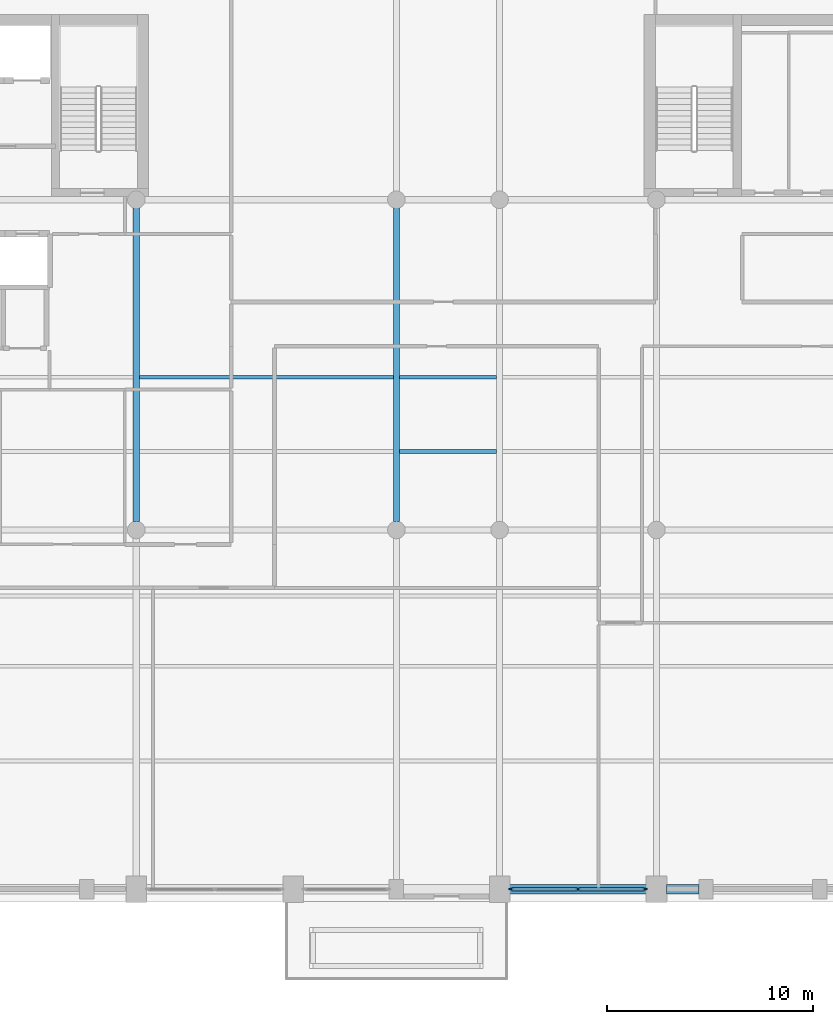
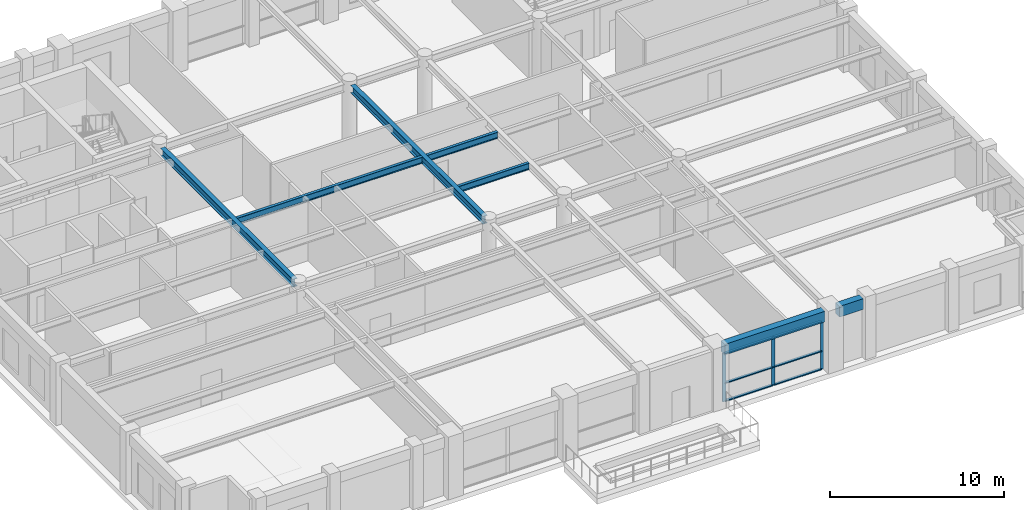
# One storey, part 3 of 13: 9 members, 7 beams, 1 element without a shape of its own.
"""IFC4 building model written with IfcOpenShell, lengths in metres."""

from ifc_helpers import new_model, si_unit, direction, frame, origin, origin_2d, place, context, subcontext, project, spatial, rectangle, i_section, extrude, material, layer, layer_set, material_profile, profile_set, type_object, element, aggregate, save


model = new_model("IFC4")

# Units and contexts
model_context = context("Model", 3, precision=1e-05, world=origin(), true_north=direction((0.0, 1.0)))
body_context = subcontext(model_context, "Body", "Model", "MODEL_VIEW")
ifc_project = project(units=[si_unit("LENGTHUNIT", "METRE"), si_unit("AREAUNIT", "SQUARE_METRE"), si_unit("VOLUMEUNIT", "CUBIC_METRE"), si_unit("PLANEANGLEUNIT", "RADIAN"), si_unit("MASSUNIT", "GRAM", prefix="KILO")], contexts=[model_context])

# Site, building, storey
site_placement = place(None, origin())
site = spatial("IfcSite", under=ifc_project, at=site_placement, CompositionType="ELEMENT")
building_placement = place(site_placement, origin())
building = spatial("IfcBuilding", under=site, at=building_placement, Name="Sulina Concourse Tower", CompositionType="ELEMENT")
storey_placement = place(building_placement, frame((0.0, 0.0, 280.60009765625)))
storey = spatial("IfcBuildingStorey", under=building, at=storey_placement, Name="L68", CompositionType="ELEMENT", Elevation=280.60009765625)

# Beams
ifc_material_1 = material(Name="Steel S355", Category="steel")
ifc_material_profile_1 = material_profile(ifc_material_1, i_section(OverallWidth=0.18994140625, OverallDepth=0.449951171875, WebThickness=0.009521484375, FlangeThickness=0.0146484375, at=origin_2d()), Name="IPE 450")
ifc_profile_set_1 = profile_set([ifc_material_profile_1], Name="Steel S355")
beam_type_1 = type_object("IfcBeamType", Name="Composite Floor Joist IPE450", PredefinedType="JOIST", material=ifc_profile_set_1)
beam_1_placement = place(storey_placement, frame((29.14990234375, 21.800048828125, 3.9248046875), z_axis=(1.0, 0.0, 0.0), x_axis=(0.0, 1.0, 0.0)))
element("IfcBeam", 1, at=beam_1_placement, inside=storey, type_object=beam_type_1, Name="FJ-J22-3-L68", PredefinedType="JOIST", context=body_context, shape_type="SweptSolid", body=[
    extrude(i_section(OverallWidth=0.18994140625, OverallDepth=0.449951171875, WebThickness=0.009521484375, FlangeThickness=0.0146484375, at=origin_2d()), origin(), (0.0, 0.0, 1.0), 4.7001953125),
])
beam_2_placement = place(storey_placement, frame((16.550048828125, 25.39990234375, 3.9248046875), z_axis=(1.0, 0.0, 0.0), x_axis=(0.0, 1.0, 0.0)))
element("IfcBeam", 2, at=beam_2_placement, inside=storey, type_object=beam_type_1, Name="FJ-J25-2-L68", PredefinedType="JOIST", context=body_context, shape_type="SweptSolid", body=[
    extrude(i_section(OverallWidth=0.18994140625, OverallDepth=0.449951171875, WebThickness=0.009521484375, FlangeThickness=0.0146484375, at=origin_2d()), origin(), (0.0, 0.0, 1.0), 12.300048828125),
])
beam_3_placement = place(storey_placement, frame((29.14990234375, 25.39990234375, 3.9248046875), z_axis=(1.0, 0.0, 0.0), x_axis=(0.0, 1.0, 0.0)))
element("IfcBeam", 3, at=beam_3_placement, inside=storey, type_object=beam_type_1, Name="FJ-J25-3-L68", PredefinedType="JOIST", context=body_context, shape_type="SweptSolid", body=[
    extrude(i_section(OverallWidth=0.18994140625, OverallDepth=0.449951171875, WebThickness=0.009521484375, FlangeThickness=0.0146484375, at=origin_2d()), origin(), (0.0, 0.0, 1.0), 4.7001953125),
])
ifc_material_2 = material(Name="Steel S355", Category="steel")
ifc_material_profile_2 = material_profile(ifc_material_2, i_section(OverallWidth=0.300048828125, OverallDepth=0.550048828125, WebThickness=0.014892578125, FlangeThickness=0.029052734375, at=origin_2d()), Name="HE 550 B")
ifc_profile_set_2 = profile_set([ifc_material_profile_2], Name="Steel S355")
beam_type_2 = type_object("IfcBeamType", Name="Floor Primary Girder Zone 4 HE550B", PredefinedType="BEAM", material=ifc_profile_set_2)
for number, where, z_axis, x_axis, name in (
    (4, (16.39990234375, 18.405029296875, 3.875), (0.0, 1.0, 0.0), (-1.0, 0.0, 0.0), "FG-NSB-16-L68"),
    (5, (29.0, 18.405029296875, 3.875), (0.0, 1.0, 0.0), (-1.0, 0.0, 0.0), "FG-NSB-29-L68"),
):
    element("IfcBeam", number, at=place(storey_placement, frame(where, z_axis=z_axis, x_axis=x_axis)), inside=storey, type_object=beam_type_2, Name=name, PredefinedType="BEAM", context=body_context, shape_type="SweptSolid", body=[
        extrude(i_section(OverallWidth=0.300048828125, OverallDepth=0.550048828125, WebThickness=0.014892578125, FlangeThickness=0.029052734375, at=origin_2d()), origin(), (0.0, 0.0, 1.0), 15.18994140625),
    ])

# Curtain wall, members
ifc_material_3 = material(Name="Aluminium 6063-T6", Category="aluminium")
ifc_layer = layer(ifc_material_3, 0.22998046875)
ifc_layer_set = layer_set([ifc_layer], Name="Aluminium 6063-T6")
curtain_wall_type = type_object("IfcCurtainWallType", Name="Sky-Pool Wellness Lounge Curtain Wall System", PredefinedType="NOTDEFINED", material=ifc_layer_set)
curtain_wall_placement = place(storey_placement, origin())
curtain_wall = element("IfcCurtainWall", 6, at=curtain_wall_placement, inside=storey, type_object=curtain_wall_type, Name="L68 glazed curtain wall S7", PredefinedType="NOTDEFINED")
ifc_material_4 = material(Name="Aluminium 6063-T6", Category="aluminium")
ifc_material_profile_3 = material_profile(ifc_material_4, rectangle(XDim=0.068115234375, YDim=0.2099609375, at=origin_2d()), Name="MUL 68x210")
ifc_profile_set_3 = profile_set([ifc_material_profile_3], Name="Aluminium 6063-T6")
member_type_1 = type_object("IfcMemberType", Name="Sky-Pool Wellness Lounge Curtain Wall System Mullion 68x210", PredefinedType="MULLION", material=ifc_profile_set_3)
member_1_placement = place(storey_placement, frame((41.0458984375, 0.60009765625, 0.0), z_axis=(0.0, 0.0, 1.0), x_axis=(0.0, -1.0, 0.0)))
member_1 = element("IfcMember", 7, at=member_1_placement, type_object=member_type_1, Name="CW-05 mullion 1", PredefinedType="MULLION", context=body_context, shape_type="SweptSolid", body=[
    extrude(rectangle(XDim=0.068115234375, YDim=0.2099609375, at=origin_2d()), origin(), (0.0, 0.0, 1.0), 3.39990234375),
])
member_2_placement = place(storey_placement, frame((37.800048828125, 0.60009765625, 0.0), z_axis=(0.0, 0.0, 1.0), x_axis=(0.0, -1.0, 0.0)))
member_2 = element("IfcMember", 8, at=member_2_placement, type_object=member_type_1, Name="CW-05 mullion 2", PredefinedType="MULLION", context=body_context, shape_type="SweptSolid", body=[
    extrude(rectangle(XDim=0.068115234375, YDim=0.2099609375, at=origin_2d()), origin(), (0.0, 0.0, 1.0), 3.39990234375),
])
member_3_placement = place(storey_placement, frame((34.553955078125, 0.60009765625, 0.0), z_axis=(0.0, 0.0, 1.0), x_axis=(0.0, -1.0, 0.0)))
member_3 = element("IfcMember", 9, at=member_3_placement, type_object=member_type_1, Name="CW-05 mullion 3", PredefinedType="MULLION", context=body_context, shape_type="SweptSolid", body=[
    extrude(rectangle(XDim=0.068115234375, YDim=0.2099609375, at=origin_2d()), origin(), (0.0, 0.0, 1.0), 3.39990234375),
])
ifc_material_5 = material(Name="Aluminium 6063-T6", Category="aluminium")
ifc_material_profile_4 = material_profile(ifc_material_5, rectangle(XDim=0.169921875, YDim=0.068115234375, at=origin_2d()), Name="TRN 68x170")
ifc_profile_set_4 = profile_set([ifc_material_profile_4], Name="Aluminium 6063-T6")
member_type_2 = type_object("IfcMemberType", Name="Sky-Pool Wellness Lounge Curtain Wall System Transom 68x170", PredefinedType="USERDEFINED", material=ifc_profile_set_4)
member_4_placement = place(storey_placement, frame((41.011962890625, 0.60009765625, 0.033935546875), z_axis=(-1.0, 0.0, 0.0), x_axis=(0.0, -1.0, 0.0)))
member_4 = element("IfcMember", 10, at=member_4_placement, type_object=member_type_2, Name="CW-05 transom 1.1", ObjectType="TRANSOM", PredefinedType="USERDEFINED", context=body_context, shape_type="SweptSolid", body=[
    extrude(rectangle(XDim=0.169921875, YDim=0.068115234375, at=origin_2d()), origin(), (0.0, 0.0, 1.0), 3.177978515625),
])
member_5_placement = place(storey_placement, frame((41.011962890625, 0.60009765625, 1.2919921875), z_axis=(-1.0, 0.0, 0.0), x_axis=(0.0, -1.0, 0.0)))
member_5 = element("IfcMember", 11, at=member_5_placement, type_object=member_type_2, Name="CW-05 transom 1.2", ObjectType="TRANSOM", PredefinedType="USERDEFINED", context=body_context, shape_type="SweptSolid", body=[
    extrude(rectangle(XDim=0.169921875, YDim=0.068115234375, at=origin_2d()), origin(), (0.0, 0.0, 1.0), 3.177978515625),
])
member_6_placement = place(storey_placement, frame((41.011962890625, 0.60009765625, 3.365966796875), z_axis=(-1.0, 0.0, 0.0), x_axis=(0.0, -1.0, 0.0)))
member_6 = element("IfcMember", 12, at=member_6_placement, type_object=member_type_2, Name="CW-05 transom 1.3", ObjectType="TRANSOM", PredefinedType="USERDEFINED", context=body_context, shape_type="SweptSolid", body=[
    extrude(rectangle(XDim=0.169921875, YDim=0.068115234375, at=origin_2d()), origin(), (0.0, 0.0, 1.0), 3.177978515625),
])
member_7_placement = place(storey_placement, frame((37.76611328125, 0.60009765625, 0.033935546875), z_axis=(-1.0, 0.0, 0.0), x_axis=(0.0, -1.0, 0.0)))
member_7 = element("IfcMember", 13, at=member_7_placement, type_object=member_type_2, Name="CW-05 transom 2.1", ObjectType="TRANSOM", PredefinedType="USERDEFINED", context=body_context, shape_type="SweptSolid", body=[
    extrude(rectangle(XDim=0.169921875, YDim=0.068115234375, at=origin_2d()), origin(), (0.0, 0.0, 1.0), 3.17822265625),
])
member_8_placement = place(storey_placement, frame((37.76611328125, 0.60009765625, 1.2919921875), z_axis=(-1.0, 0.0, 0.0), x_axis=(0.0, -1.0, 0.0)))
member_8 = element("IfcMember", 14, at=member_8_placement, type_object=member_type_2, Name="CW-05 transom 2.2", ObjectType="TRANSOM", PredefinedType="USERDEFINED", context=body_context, shape_type="SweptSolid", body=[
    extrude(rectangle(XDim=0.169921875, YDim=0.068115234375, at=origin_2d()), origin(), (0.0, 0.0, 1.0), 3.17822265625),
])
member_9_placement = place(storey_placement, frame((37.76611328125, 0.60009765625, 3.365966796875), z_axis=(-1.0, 0.0, 0.0), x_axis=(0.0, -1.0, 0.0)))
member_9 = element("IfcMember", 15, at=member_9_placement, type_object=member_type_2, Name="CW-05 transom 2.3", ObjectType="TRANSOM", PredefinedType="USERDEFINED", context=body_context, shape_type="SweptSolid", body=[
    extrude(rectangle(XDim=0.169921875, YDim=0.068115234375, at=origin_2d()), origin(), (0.0, 0.0, 1.0), 3.17822265625),
])
aggregate(curtain_wall, [member_1, member_2, member_3, member_4, member_5, member_6, member_7, member_8, member_9])

# Beams
ifc_material_6 = material(Name="Precast concrete C50/60", Category="concrete")
ifc_material_profile_5 = material_profile(ifc_material_6, rectangle(XDim=0.449951171875, YDim=0.75, at=origin_2d()), Name="RC 450x750")
ifc_profile_set_5 = profile_set([ifc_material_profile_5], Name="Precast concrete C50/60")
beam_type_3 = type_object("IfcBeamType", Name="Upper Precast Spandrel Edge Beam 450x750", PredefinedType="BEAM", material=ifc_profile_set_5)
beam_4_placement = place(storey_placement, frame((34.47998046875, 0.60009765625, 3.77490234375), z_axis=(1.0, 0.0, 0.0), x_axis=(0.0, 1.0, 0.0)))
element("IfcBeam", 16, at=beam_4_placement, inside=storey, type_object=beam_type_3, Name="SP-S7-L68", PredefinedType="BEAM", context=body_context, shape_type="SweptSolid", body=[
    extrude(rectangle(XDim=0.449951171875, YDim=0.75, at=origin_2d()), origin(), (0.0, 0.0, 1.0), 6.64013671875),
])
beam_5_placement = place(storey_placement, frame((42.080078125, 0.60009765625, 3.77490234375), z_axis=(1.0, 0.0, 0.0), x_axis=(0.0, 1.0, 0.0)))
element("IfcBeam", 17, at=beam_5_placement, inside=storey, type_object=beam_type_3, Name="SP-S8-L68", PredefinedType="BEAM", context=body_context, shape_type="SweptSolid", body=[
    extrude(rectangle(XDim=0.449951171875, YDim=0.75, at=origin_2d()), origin(), (0.0, 0.0, 1.0), 1.58984375),
])

save(model, "model.ifc")
